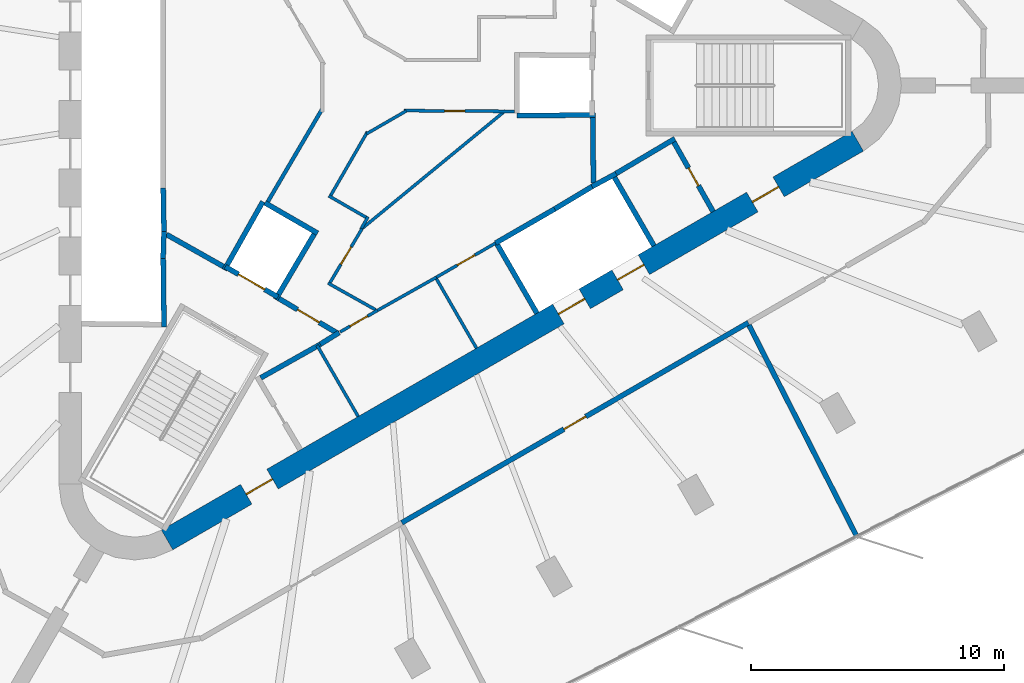
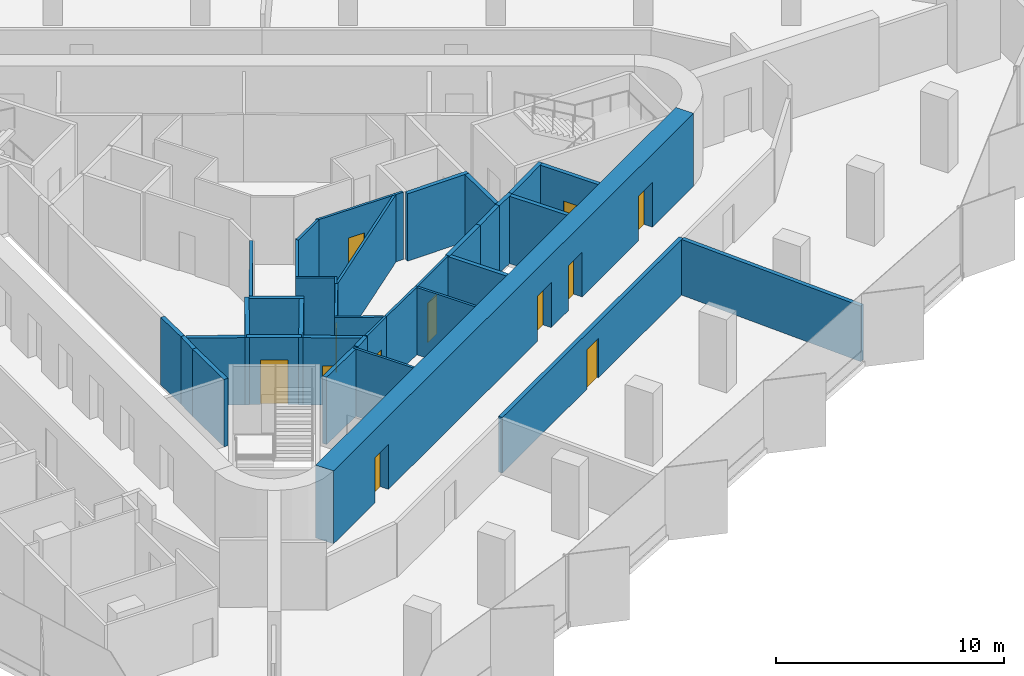
# One storey, part 9 of 13: 37 walls, 12 doors, 12 openings.
"""IFC4 building model written with IfcOpenShell, lengths in metres."""

from ifc_helpers import new_model, si_unit, direction, frame, frame_2d, origin, place, context, subcontext, project, spatial, rectangle, extrude, material, layer, layer_set, type_object, element, fill, save


model = new_model("IFC4")

# Units and contexts
model_context = context("Model", 3, precision=1e-05, world=origin(), true_north=direction((0.0, 1.0)))
body_context = subcontext(model_context, "Body", "Model", "MODEL_VIEW")
ifc_project = project(units=[si_unit("LENGTHUNIT", "METRE"), si_unit("AREAUNIT", "SQUARE_METRE"), si_unit("VOLUMEUNIT", "CUBIC_METRE"), si_unit("PLANEANGLEUNIT", "RADIAN"), si_unit("MASSUNIT", "GRAM", prefix="KILO")], contexts=[model_context])

# Site, building, storey
site_placement = place(None, origin())
site = spatial("IfcSite", under=ifc_project, at=site_placement, CompositionType="ELEMENT")
building_placement = place(site_placement, origin())
building = spatial("IfcBuilding", under=site, at=building_placement, Name="Tanit Gate Tower", CompositionType="ELEMENT")
storey_placement = place(building_placement, frame((0.0, 0.0, 314.300048828125)))
storey = spatial("IfcBuildingStorey", under=building, at=storey_placement, Name="L70", CompositionType="ELEMENT", Elevation=314.300048828125)

# Wall, openings, doors
ifc_material_1 = material(Name="Concrete C40/50", Category="concrete")
ifc_layer_1 = layer(ifc_material_1, 0.89990234375)
ifc_layer_set_1 = layer_set([ifc_layer_1], Name="CORE WALL 900 C40/50")
wall_type_1 = type_object("IfcWallType", Name="CORE WALL 900 C40/50", PredefinedType="SHEAR", material=ifc_layer_set_1)
wall_1_placement = place(storey_placement, frame((-7.824951171875, -17.969970703125, 0.0), z_axis=(0.0, 0.0, 1.0), x_axis=(0.866028369851, 0.499994862586, 0.0)))
wall_1 = element("IfcWall", 1, at=wall_1_placement, inside=storey, type_object=wall_type_1, Name="CORE WALL", PredefinedType="SHEAR", context=body_context, shape_type="SweptSolid", body=[
    extrude(rectangle(XDim=31.523193359375, YDim=0.89990234375, at=frame_2d((15.76171875, 0.0))), origin(), (0.0, 0.0, 1.0), 3.89990234375),
])
opening_1_placement = place(wall_1_placement, frame((17.861572265625, 0.0, 0.0)))
opening_1 = element("IfcOpeningElement", 2, at=opening_1_placement, cuts=wall_1, Name="Opening LDSV1-S19", PredefinedType="OPENING", context=body_context, shape_type="SweptSolid", body=[
    extrude(rectangle(XDim=1.199951171875, YDim=2.39990234375, at=frame_2d((0.60009765625, 1.199951171875))), frame((0.0, 0.4599609375, 0.0), z_axis=(0.0, -1.0, 0.0), x_axis=(1.0, 0.0, 0.0)), (0.0, 0.0, 1.0), 0.919921875),
])
opening_2_placement = place(wall_1_placement, frame((20.561767578125, 0.0, 0.0)))
opening_2 = element("IfcOpeningElement", 3, at=opening_2_placement, cuts=wall_1, Name="Opening LDSV2-S19", PredefinedType="OPENING", context=body_context, shape_type="SweptSolid", body=[
    extrude(rectangle(XDim=1.199951171875, YDim=2.39990234375, at=frame_2d((0.60009765625, 1.199951171875))), frame((0.0, 0.4599609375, 0.0), z_axis=(0.0, -1.0, 0.0), x_axis=(1.0, 0.0, 0.0)), (0.0, 0.0, 1.0), 0.919921875),
])
opening_3_placement = place(wall_1_placement, frame((26.711669921875, 0.0, 0.0)))
opening_3 = element("IfcOpeningElement", 4, at=opening_3_placement, cuts=wall_1, Name="Opening F12-S19-S1", PredefinedType="OPENING", context=body_context, shape_type="SweptSolid", body=[
    extrude(rectangle(XDim=1.199951171875, YDim=2.39990234375, at=frame_2d((0.60009765625, 1.199951171875))), frame((0.0, 0.4599609375, 0.0), z_axis=(0.0, -1.0, 0.0), x_axis=(1.0, 0.0, 0.0)), (0.0, 0.0, 1.0), 0.919921875),
])
opening_4_placement = place(wall_1_placement, frame((3.611572265625, 0.0, 0.0)))
opening_4 = element("IfcOpeningElement", 5, at=opening_4_placement, cuts=wall_1, Name="Opening F12-S19-FL3", PredefinedType="OPENING", context=body_context, shape_type="SweptSolid", body=[
    extrude(rectangle(XDim=1.199951171875, YDim=2.39990234375, at=frame_2d((0.60009765625, 1.199951171875))), frame((0.0, 0.4599609375, 0.0), z_axis=(0.0, -1.0, 0.0), x_axis=(1.0, 0.0, 0.0)), (0.0, 0.0, 1.0), 0.919921875),
])
ifc_material_2 = material(Name="Fire-rated steel door leaf", Category="steel")
door_type_1 = type_object("IfcDoorType", Name="INT-DOOR-FIRE-LOBBY-1200", OperationType="NOTDEFINED", PredefinedType="USERDEFINED", material=ifc_material_2)
door_1_placement = place(opening_3_placement, origin())
door_1 = element("IfcDoor", 6, at=door_1_placement, inside=storey, type_object=door_type_1, Name="Door F12-S19-S1", ObjectType="FIRE DOOR", OperationType="SINGLE_SWING_RIGHT", OverallHeight=2.39990234375, OverallWidth=1.199951171875, PredefinedType="USERDEFINED", context=body_context, shape_type="SweptSolid", body=[
    extrude(rectangle(XDim=1.199951171875, YDim=2.39990234375, at=frame_2d((0.60009765625, 1.199951171875))), frame((0.0, 0.02490234375, 0.0), z_axis=(0.0, -1.0, 0.0), x_axis=(1.0, 0.0, 0.0)), (0.0, 0.0, 1.0), 0.050048828125),
])
fill(opening_3, door_1)
door_2_placement = place(opening_4_placement, origin())
door_2 = element("IfcDoor", 7, at=door_2_placement, inside=storey, type_object=door_type_1, Name="Door F12-S19-FL3", ObjectType="FIRE DOOR", OperationType="SINGLE_SWING_LEFT", OverallHeight=2.39990234375, OverallWidth=1.199951171875, PredefinedType="USERDEFINED", context=body_context, shape_type="SweptSolid", body=[
    extrude(rectangle(XDim=1.199951171875, YDim=2.39990234375, at=frame_2d((0.60009765625, 1.199951171875))), frame((0.0, 0.02490234375, 0.0), z_axis=(0.0, -1.0, 0.0), x_axis=(1.0, 0.0, 0.0)), (0.0, 0.0, 1.0), 0.050048828125),
])
fill(opening_4, door_2)
ifc_material_3 = material(Name="Stainless steel sliding door leaf", Category="steel")
door_type_2 = type_object("IfcDoorType", Name="INT-DOOR-LANDING-1200", OperationType="NOTDEFINED", PredefinedType="USERDEFINED", material=ifc_material_3)
door_3_placement = place(opening_1_placement, origin())
door_3 = element("IfcDoor", 8, at=door_3_placement, inside=storey, type_object=door_type_2, Name="Door LDSV1-S19", ObjectType="LANDING DOOR", OperationType="SLIDING_TO_LEFT", OverallHeight=2.39990234375, OverallWidth=1.199951171875, PredefinedType="USERDEFINED", context=body_context, shape_type="SweptSolid", body=[
    extrude(rectangle(XDim=1.199951171875, YDim=2.39990234375, at=frame_2d((0.60009765625, 1.199951171875))), frame((0.0, 0.02490234375, 0.0), z_axis=(0.0, -1.0, 0.0), x_axis=(1.0, 0.0, 0.0)), (0.0, 0.0, 1.0), 0.050048828125),
])
fill(opening_1, door_3)
door_4_placement = place(opening_2_placement, origin())
door_4 = element("IfcDoor", 9, at=door_4_placement, inside=storey, type_object=door_type_2, Name="Door LDSV2-S19", ObjectType="LANDING DOOR", OperationType="SLIDING_TO_LEFT", OverallHeight=2.39990234375, OverallWidth=1.199951171875, PredefinedType="USERDEFINED", context=body_context, shape_type="SweptSolid", body=[
    extrude(rectangle(XDim=1.199951171875, YDim=2.39990234375, at=frame_2d((0.60009765625, 1.199951171875))), frame((0.0, 0.02490234375, 0.0), z_axis=(0.0, -1.0, 0.0), x_axis=(1.0, 0.0, 0.0)), (0.0, 0.0, 1.0), 0.050048828125),
])
fill(opening_2, door_4)

# Walls
ifc_material_4 = material(Name="Fire-rated gypsum board partition")
ifc_layer_2 = layer(ifc_material_4, 0.199951171875)
ifc_layer_set_2 = layer_set([ifc_layer_2], Name="INT-WALL-COMPARTMENT")
wall_type_2 = type_object("IfcWallType", Name="INT-WALL-COMPARTMENT", PredefinedType="PARTITIONING", material=ifc_layer_set_2)
wall_2_placement = place(storey_placement, frame((-1.7685546875, -10.23681640625, 0.0), z_axis=(0.0, 0.0, 1.0), x_axis=(-0.871534483978, -0.490334215854, 0.0)))
element("IfcWall", 10, at=wall_2_placement, inside=storey, type_object=wall_type_2, Name="Wall Compartment W054", PredefinedType="PARTITIONING", context=body_context, shape_type="SweptSolid", body=[
    extrude(rectangle(XDim=2.7001953125, YDim=0.199951171875, at=frame_2d((1.35009765625, 0.0))), origin(), (0.0, 0.0, 1.0), 3.599853515625),
])
wall_3_placement = place(storey_placement, frame((-1.02392578125, -9.77099609375, 0.0), z_axis=(0.0, 0.0, 1.0), x_axis=(-0.850348075135, -0.526220629693, 0.0)))
element("IfcWall", 11, at=wall_3_placement, inside=storey, type_object=wall_type_2, Name="Wall Compartment W056", PredefinedType="PARTITIONING", context=body_context, shape_type="SweptSolid", body=[
    extrude(rectangle(XDim=0.878173828125, YDim=0.199951171875, at=frame_2d((0.43896484375, 0.0))), origin(), (0.0, 0.0, 1.0), 3.599853515625),
])
wall_4_placement = place(storey_placement, frame((12.244873046875, -2.10888671875, 0.0), z_axis=(0.0, 0.0, 1.0), x_axis=(-0.860414880418, -0.509594185166, 0.0)))
element("IfcWall", 12, at=wall_4_placement, inside=storey, type_object=wall_type_2, Name="Wall Compartment W060", PredefinedType="PARTITIONING", context=body_context, shape_type="SweptSolid", body=[
    extrude(rectangle(XDim=2.7001953125, YDim=0.199951171875, at=frame_2d((1.35009765625, 0.0))), origin(), (0.0, 0.0, 1.0), 3.599853515625),
])

# Wall, opening, door
wall_5_placement = place(storey_placement, frame((13.758056640625, -4.989501953125, 0.0), z_axis=(0.0, 0.0, 1.0), x_axis=(-0.491993409184, 0.87059892334, 0.0)))
wall_5 = element("IfcWall", 13, at=wall_5_placement, inside=storey, type_object=wall_type_2, Name="Wall Compartment W061", PredefinedType="PARTITIONING", context=body_context, shape_type="SweptSolid", body=[
    extrude(rectangle(XDim=3.150146484375, YDim=0.199951171875, at=frame_2d((1.5751953125, 0.0))), origin(), (0.0, 0.0, 1.0), 3.599853515625),
])
opening_5_placement = place(wall_5_placement, frame((1.175048828125, 0.0, 0.0)))
opening_5 = element("IfcOpeningElement", 14, at=opening_5_placement, cuts=wall_5, Name="Opening R08-S19-19", PredefinedType="OPENING", context=body_context, shape_type="SweptSolid", body=[
    extrude(rectangle(XDim=0.800048828125, YDim=2.10009765625, at=frame_2d((0.39990234375, 1.050048828125))), frame((0.0, 0.10986328125, 0.0), z_axis=(0.0, -1.0, 0.0), x_axis=(1.0, 0.0, 0.0)), (0.0, 0.0, 1.0), 0.219970703125),
])
ifc_material_5 = material(Name="Timber door leaf", Category="wood")
door_type_3 = type_object("IfcDoorType", Name="INT-DOOR-RISER-800", OperationType="NOTDEFINED", PredefinedType="USERDEFINED", material=ifc_material_5)
door_5_placement = place(opening_5_placement, origin())
door_5 = element("IfcDoor", 15, at=door_5_placement, inside=storey, type_object=door_type_3, Name="Door R08-S19-19", ObjectType="FIRE DOOR", OperationType="SINGLE_SWING_LEFT", OverallHeight=2.10009765625, OverallWidth=0.800048828125, PredefinedType="USERDEFINED", context=body_context, shape_type="SweptSolid", body=[
    extrude(rectangle(XDim=0.800048828125, YDim=2.10009765625, at=frame_2d((0.39990234375, 1.050048828125))), frame((0.0, 0.02490234375, 0.0), z_axis=(0.0, -1.0, 0.0), x_axis=(1.0, 0.0, 0.0)), (0.0, 0.0, 1.0), 0.050048828125),
])
fill(opening_5, door_5)

# Walls
for number, where, z_axis, x_axis, name in (
    (16, (9.02880859375, -3.8505859375, 0.0), (0.0, 0.0, 1.0), (-0.010784614026, 0.999941844359, 0.0), "Wall Compartment W062"),
    (17, (-7.84912109375, -5.893798828125, 0.0), (0.0, 0.0, 1.0), (0.871340486379, -0.490678873396, 0.0), "Wall Compartment W066"),
):
    element("IfcWall", number, at=place(storey_placement, frame(where, z_axis=z_axis, x_axis=x_axis)), inside=storey, type_object=wall_type_2, Name=name, PredefinedType="PARTITIONING", context=body_context, shape_type="SweptSolid", body=[
        extrude(rectangle(XDim=2.580810546875, YDim=0.199951171875, at=frame_2d((1.29052734375, 0.0))), origin(), (0.0, 0.0, 1.0), 3.599853515625),
    ])

# Wall, opening, door
wall_6_placement = place(storey_placement, frame((-3.400634765625, -8.43017578125, 0.0), z_axis=(0.0, 0.0, 1.0), x_axis=(0.860617791406, -0.509251428192, 0.0)))
wall_6 = element("IfcWall", 18, at=wall_6_placement, inside=storey, type_object=wall_type_2, Name="Wall Compartment W067", PredefinedType="PARTITIONING", context=body_context, shape_type="SweptSolid", body=[
    extrude(rectangle(XDim=2.709228515625, YDim=0.199951171875, at=frame_2d((1.3544921875, 0.0))), origin(), (0.0, 0.0, 1.0), 3.599853515625),
])
opening_6_placement = place(wall_6_placement, frame((0.848388671875, 0.0, 0.0)))
opening_6 = element("IfcOpeningElement", 19, at=opening_6_placement, cuts=wall_6, Name="Opening F10-S19-08", PredefinedType="OPENING", context=body_context, shape_type="SweptSolid", body=[
    extrude(rectangle(XDim=1.0, YDim=2.10009765625, at=frame_2d((0.5, 1.050048828125))), frame((0.0, 0.10986328125, 0.0), z_axis=(0.0, -1.0, 0.0), x_axis=(1.0, 0.0, 0.0)), (0.0, 0.0, 1.0), 0.219970703125),
])
ifc_material_6 = material(Name="Fire-rated steel door leaf", Category="steel")
door_type_4 = type_object("IfcDoorType", Name="INT-DOOR-FIRE-1000", OperationType="NOTDEFINED", PredefinedType="USERDEFINED", material=ifc_material_6)
door_6_placement = place(opening_6_placement, origin())
door_6 = element("IfcDoor", 20, at=door_6_placement, inside=storey, type_object=door_type_4, Name="Door F10-S19-08", ObjectType="FIRE DOOR", OperationType="SINGLE_SWING_LEFT", OverallHeight=2.10009765625, OverallWidth=1.0, PredefinedType="USERDEFINED", context=body_context, shape_type="SweptSolid", body=[
    extrude(rectangle(XDim=1.0, YDim=2.10009765625, at=frame_2d((0.5, 1.050048828125))), frame((0.0, 0.02490234375, 0.0), z_axis=(0.0, -1.0, 0.0), x_axis=(1.0, 0.0, 0.0)), (0.0, 0.0, 1.0), 0.050048828125),
])
fill(opening_6, door_6)

wall_7_placement = place(storey_placement, frame((1.451416015625, -17.290771484375, 0.0), z_axis=(0.0, 0.0, 1.0), x_axis=(0.866027540469, 0.499996299136, 0.0)))
wall_7 = element("IfcWall", 21, at=wall_7_placement, inside=storey, type_object=wall_type_2, Name="Wall Compartment W113", PredefinedType="PARTITIONING", context=body_context, shape_type="SweptSolid", body=[
    extrude(rectangle(XDim=15.8203125, YDim=0.199951171875, at=frame_2d((7.91015625, 0.0))), origin(), (0.0, 0.0, 1.0), 2.969970703125),
])
opening_7_placement = place(wall_7_placement, frame((7.398681640625, 0.0, 0.0)))
opening_7 = element("IfcOpeningElement", 22, at=opening_7_placement, cuts=wall_7, Name="Opening F10-S19-31", PredefinedType="OPENING", context=body_context, shape_type="SweptSolid", body=[
    extrude(rectangle(XDim=1.0, YDim=2.10009765625, at=frame_2d((0.5, 1.050048828125))), frame((0.0, 0.10986328125, 0.0), z_axis=(0.0, -1.0, 0.0), x_axis=(1.0, 0.0, 0.0)), (0.0, 0.0, 1.0), 0.219970703125),
])
door_7_placement = place(opening_7_placement, origin())
door_7 = element("IfcDoor", 23, at=door_7_placement, inside=storey, type_object=door_type_4, Name="Door F10-S19-31", ObjectType="FIRE DOOR", OperationType="SINGLE_SWING_LEFT", OverallHeight=2.10009765625, OverallWidth=1.0, PredefinedType="USERDEFINED", context=body_context, shape_type="SweptSolid", body=[
    extrude(rectangle(XDim=1.0, YDim=2.10009765625, at=frame_2d((0.5, 1.050048828125))), frame((0.0, 0.02490234375, 0.0), z_axis=(0.0, -1.0, 0.0), x_axis=(1.0, 0.0, 0.0)), (0.0, 0.0, 1.0), 0.050048828125),
])
fill(opening_7, door_7)

# Walls
wall_8_placement = place(storey_placement, frame((15.177978515625, -9.481201171875, 0.0), z_axis=(0.0, 0.0, 1.0), x_axis=(0.454314491878, -0.890841367736, 0.0)))
element("IfcWall", 24, at=wall_8_placement, inside=storey, type_object=wall_type_2, Name="Wall Compartment W135", PredefinedType="PARTITIONING", context=body_context, shape_type="SweptSolid", body=[
    extrude(rectangle(XDim=9.360595703125, YDim=0.199951171875, at=frame_2d((4.68017578125, 0.0))), origin(), (0.0, 0.0, 1.0), 2.969970703125),
])
ifc_material_7 = material(Name="Gypsum board partition")
ifc_layer_3 = layer(ifc_material_7, 0.1201171875)
ifc_layer_set_3 = layer_set([ifc_layer_3], Name="INT-WALL-PARTITION")
wall_type_3 = type_object("IfcWallType", Name="INT-WALL-PARTITION", PredefinedType="PARTITIONING", material=ifc_layer_set_3)
for number, where, z_axis, x_axis, name in (
    (25, (-1.896728515625, -10.27490234375, 0.0), (0.0, 0.0, 1.0), (0.499984717929, -0.866034226713, 0.0), "Wall Partition W052"),
    (26, (4.40478515625, -10.389404296875, 0.0), (0.0, 0.0, 1.0), (-0.500017246033, 0.866015446554, 0.0), "Wall Partition W055"),
):
    element("IfcWall", number, at=place(storey_placement, frame(where, z_axis=z_axis, x_axis=x_axis)), inside=storey, type_object=wall_type_3, Name=name, PredefinedType="PARTITIONING", context=body_context, shape_type="SweptSolid", body=[
        extrude(rectangle(XDim=3.25, YDim=0.1201171875, at=frame_2d((1.625, 0.0))), origin(), (0.0, 0.0, 1.0), 3.599853515625),
    ])
wall_9_placement = place(storey_placement, frame((0.493896484375, -8.895751953125, 0.0), z_axis=(0.0, 0.0, 1.0), x_axis=(0.871426548871, 0.490526013503, 0.0)))
element("IfcWall", 27, at=wall_9_placement, inside=storey, type_object=wall_type_3, Name="Wall Partition W057", PredefinedType="PARTITIONING", context=body_context, shape_type="SweptSolid", body=[
    extrude(rectangle(XDim=2.670166015625, YDim=0.1201171875, at=frame_2d((1.3349609375, 0.0))), origin(), (0.0, 0.0, 1.0), 3.599853515625),
])

# Wall, opening, door
wall_10_placement = place(storey_placement, frame((0.493408203125, -8.89501953125, 0.0), z_axis=(0.0, 0.0, 1.0), x_axis=(-0.866027945518, -0.499995597562, 0.0)))
wall_10 = element("IfcWall", 28, at=wall_10_placement, inside=storey, type_object=wall_type_3, Name="Wall Partition W058", PredefinedType="PARTITIONING", context=body_context, shape_type="SweptSolid", body=[
    extrude(rectangle(XDim=1.7021484375, YDim=0.1201171875, at=frame_2d((0.85107421875, 0.0))), origin(), (0.0, 0.0, 1.0), 3.599853515625),
])
opening_8_placement = place(wall_10_placement, frame((0.461181640625, 0.0, 0.0)))
opening_8 = element("IfcOpeningElement", 29, at=opening_8_placement, cuts=wall_10, Name="Opening R08-S19-17", PredefinedType="OPENING", context=body_context, shape_type="SweptSolid", body=[
    extrude(rectangle(XDim=0.800048828125, YDim=2.10009765625, at=frame_2d((0.39990234375, 1.050048828125))), frame((0.0, 0.070068359375, 0.0), z_axis=(0.0, -1.0, 0.0), x_axis=(1.0, 0.0, 0.0)), (0.0, 0.0, 1.0), 0.14013671875),
])
door_8_placement = place(opening_8_placement, origin())
door_8 = element("IfcDoor", 30, at=door_8_placement, inside=storey, type_object=door_type_3, Name="Door R08-S19-17", ObjectType="FIRE DOOR", OperationType="SINGLE_SWING_RIGHT", OverallHeight=2.10009765625, OverallWidth=0.800048828125, PredefinedType="USERDEFINED", context=body_context, shape_type="SweptSolid", body=[
    extrude(rectangle(XDim=0.800048828125, YDim=2.10009765625, at=frame_2d((0.39990234375, 1.050048828125))), frame((0.0, 0.02490234375, 0.0), z_axis=(0.0, -1.0, 0.0), x_axis=(1.0, 0.0, 0.0)), (0.0, 0.0, 1.0), 0.050048828125),
])
fill(opening_8, door_8)

wall_11_placement = place(storey_placement, frame((2.82080078125, -7.5859375, 0.0), z_axis=(0.0, 0.0, 1.0), x_axis=(0.866019956843, 0.50000943426, 0.0)))
wall_11 = element("IfcWall", 31, at=wall_11_placement, inside=storey, type_object=wall_type_3, Name="Wall Partition W059", PredefinedType="PARTITIONING", context=body_context, shape_type="SweptSolid", body=[
    extrude(rectangle(XDim=2.7001953125, YDim=0.1201171875, at=frame_2d((1.35009765625, 0.0))), origin(), (0.0, 0.0, 1.0), 3.599853515625),
])
opening_9_placement = place(wall_11_placement, frame((0.949951171875, 0.0, 0.0)))
opening_9 = element("IfcOpeningElement", 32, at=opening_9_placement, cuts=wall_11, Name="Opening R08-S19-18", PredefinedType="OPENING", context=body_context, shape_type="SweptSolid", body=[
    extrude(rectangle(XDim=0.800048828125, YDim=2.10009765625, at=frame_2d((0.39990234375, 1.050048828125))), frame((0.0, 0.070068359375, 0.0), z_axis=(0.0, -1.0, 0.0), x_axis=(1.0, 0.0, 0.0)), (0.0, 0.0, 1.0), 0.14013671875),
])
door_9_placement = place(opening_9_placement, origin())
door_9 = element("IfcDoor", 33, at=door_9_placement, inside=storey, type_object=door_type_3, Name="Door R08-S19-18", ObjectType="FIRE DOOR", OperationType="SINGLE_SWING_RIGHT", OverallHeight=2.10009765625, OverallWidth=0.800048828125, PredefinedType="USERDEFINED", context=body_context, shape_type="SweptSolid", body=[
    extrude(rectangle(XDim=0.800048828125, YDim=2.10009765625, at=frame_2d((0.39990234375, 1.050048828125))), frame((0.0, 0.02490234375, 0.0), z_axis=(0.0, -1.0, 0.0), x_axis=(1.0, 0.0, 0.0)), (0.0, 0.0, 1.0), 0.050048828125),
])
fill(opening_9, door_9)

# Walls
wall_12_placement = place(storey_placement, frame((5.5478515625, -1.0, 0.0), z_axis=(0.0, 0.0, 1.0), x_axis=(-0.772345431507, -0.635202750648, 0.0)))
element("IfcWall", 34, at=wall_12_placement, inside=storey, type_object=wall_type_3, Name="Wall Partition W071", PredefinedType="PARTITIONING", context=body_context, shape_type="SweptSolid", body=[
    extrude(rectangle(XDim=7.41455078125, YDim=0.1201171875, at=frame_2d((3.707275390625, 0.0))), origin(), (0.0, 0.0, 1.0), 3.599853515625),
])
wall_13_placement = place(storey_placement, frame((-1.464111328125, -7.81591796875, 0.0), z_axis=(0.0, 0.0, 1.0), x_axis=(0.871859859416, -0.489755434416, 0.0)))
element("IfcWall", 35, at=wall_13_placement, inside=storey, type_object=wall_type_3, Name="Wall Partition W072", PredefinedType="PARTITIONING", context=body_context, shape_type="SweptSolid", body=[
    extrude(rectangle(XDim=2.154541015625, YDim=0.1201171875, at=frame_2d((1.0771484375, 0.0))), origin(), (0.0, 0.0, 1.0), 3.599853515625),
])

# Wall, opening, door
wall_14_placement = place(storey_placement, frame((-0.118896484375, -5.664306640625, 0.0), z_axis=(0.0, 0.0, 1.0), x_axis=(-0.509948384343, -0.860205001907, 0.0)))
wall_14 = element("IfcWall", 36, at=wall_14_placement, inside=storey, type_object=wall_type_3, Name="Wall Partition W073", PredefinedType="PARTITIONING", context=body_context, shape_type="SweptSolid", body=[
    extrude(rectangle(XDim=2.47509765625, YDim=0.1201171875, at=frame_2d((1.237548828125, 0.0))), origin(), (0.0, 0.0, 1.0), 3.599853515625),
])
opening_10_placement = place(wall_14_placement, frame((0.837646484375, 0.0, 0.0)))
opening_10 = element("IfcOpeningElement", 37, at=opening_10_placement, cuts=wall_14, Name="Opening R08-S19-11", PredefinedType="OPENING", context=body_context, shape_type="SweptSolid", body=[
    extrude(rectangle(XDim=0.800048828125, YDim=2.10009765625, at=frame_2d((0.39990234375, 1.050048828125))), frame((0.0, 0.070068359375, 0.0), z_axis=(0.0, -1.0, 0.0), x_axis=(1.0, 0.0, 0.0)), (0.0, 0.0, 1.0), 0.14013671875),
])
door_10_placement = place(opening_10_placement, origin())
door_10 = element("IfcDoor", 38, at=door_10_placement, inside=storey, type_object=door_type_3, Name="Door R08-S19-11", ObjectType="FIRE DOOR", OperationType="SINGLE_SWING_LEFT", OverallHeight=2.10009765625, OverallWidth=0.800048828125, PredefinedType="USERDEFINED", context=body_context, shape_type="SweptSolid", body=[
    extrude(rectangle(XDim=0.800048828125, YDim=2.10009765625, at=frame_2d((0.39990234375, 1.050048828125))), frame((0.0, 0.02490234375, 0.0), z_axis=(0.0, -1.0, 0.0), x_axis=(1.0, 0.0, 0.0)), (0.0, 0.0, 1.0), 0.050048828125),
])
fill(opening_10, door_10)

wall_15_placement = place(storey_placement, frame((5.89990234375, -1.02880859375, 0.0), z_axis=(0.0, 0.0, 1.0), x_axis=(-0.999977012451, 0.006780454946, 0.0)))
wall_15 = element("IfcWall", 39, at=wall_15_placement, inside=storey, type_object=wall_type_3, Name="Wall Partition W074", PredefinedType="PARTITIONING", context=body_context, shape_type="SweptSolid", body=[
    extrude(rectangle(XDim=4.356689453125, YDim=0.1201171875, at=frame_2d((2.17822265625, 0.0))), origin(), (0.0, 0.0, 1.0), 3.599853515625),
])
opening_11_placement = place(wall_15_placement, frame((1.9541015625, 0.0, 0.0)))
opening_11 = element("IfcOpeningElement", 40, at=opening_11_placement, cuts=wall_15, Name="Opening R08-S19-12", PredefinedType="OPENING", context=body_context, shape_type="SweptSolid", body=[
    extrude(rectangle(XDim=0.800048828125, YDim=2.10009765625, at=frame_2d((0.39990234375, 1.050048828125))), frame((0.0, 0.070068359375, 0.0), z_axis=(0.0, -1.0, 0.0), x_axis=(1.0, 0.0, 0.0)), (0.0, 0.0, 1.0), 0.14013671875),
])
door_11_placement = place(opening_11_placement, origin())
door_11 = element("IfcDoor", 41, at=door_11_placement, inside=storey, type_object=door_type_3, Name="Door R08-S19-12", ObjectType="FIRE DOOR", OperationType="SINGLE_SWING_LEFT", OverallHeight=2.10009765625, OverallWidth=0.800048828125, PredefinedType="USERDEFINED", context=body_context, shape_type="SweptSolid", body=[
    extrude(rectangle(XDim=0.800048828125, YDim=2.10009765625, at=frame_2d((0.39990234375, 1.050048828125))), frame((0.0, 0.02490234375, 0.0), z_axis=(0.0, -1.0, 0.0), x_axis=(1.0, 0.0, 0.0)), (0.0, 0.0, 1.0), 0.050048828125),
])
fill(opening_11, door_11)

# Walls
wall_16_placement = place(storey_placement, frame((-0.14404296875, -5.6494140625, 0.0), z_axis=(0.0, 0.0, 1.0), x_axis=(0.499843319224, 0.866115844577, 0.0)))
element("IfcWall", 42, at=wall_16_placement, inside=storey, type_object=wall_type_3, Name="Wall Partition W075", PredefinedType="PARTITIONING", context=body_context, shape_type="SweptSolid", body=[
    extrude(rectangle(XDim=0.524658203125, YDim=0.1201171875, at=frame_2d((0.26220703125, 0.0))), origin(), (0.0, 0.0, 1.0), 3.599853515625),
])
wall_17_placement = place(storey_placement, frame((-1.43603515625, -4.3671875, 0.0), z_axis=(0.0, 0.0, 1.0), x_axis=(0.866087547558, -0.499892348375, 0.0)))
element("IfcWall", 43, at=wall_17_placement, inside=storey, type_object=wall_type_3, Name="Wall Partition W076", PredefinedType="PARTITIONING", context=body_context, shape_type="SweptSolid", body=[
    extrude(rectangle(XDim=1.699951171875, YDim=0.1201171875, at=frame_2d((0.85009765625, 0.0))), origin(), (0.0, 0.0, 1.0), 3.599853515625),
])
wall_18_placement = place(storey_placement, frame((0.09521484375, -1.8349609375, 0.0), z_axis=(0.0, 0.0, 1.0), x_axis=(-0.499980071345, -0.866036909293, 0.0)))
element("IfcWall", 44, at=wall_18_placement, inside=storey, type_object=wall_type_3, Name="Wall Partition W077", PredefinedType="PARTITIONING", context=body_context, shape_type="SweptSolid", body=[
    extrude(rectangle(XDim=2.8984375, YDim=0.1201171875, at=frame_2d((1.44921875, 0.0))), origin(), (0.0, 0.0, 1.0), 3.599853515625),
])
wall_19_placement = place(storey_placement, frame((1.629150390625, -1.009521484375, 0.0), z_axis=(0.0, 0.0, 1.0), x_axis=(-0.866046528967, -0.499963408325, 0.0)))
element("IfcWall", 45, at=wall_19_placement, inside=storey, type_object=wall_type_3, Name="Wall Partition W078", PredefinedType="PARTITIONING", context=body_context, shape_type="SweptSolid", body=[
    extrude(rectangle(XDim=1.812744140625, YDim=0.1201171875, at=frame_2d((0.90625, 0.0))), origin(), (0.0, 0.0, 1.0), 3.599853515625),
])
ifc_material_8 = material(Name="Fire-rated gypsum board partition")
ifc_layer_4 = layer(ifc_material_8, 0.14990234375)
ifc_layer_set_4 = layer_set([ifc_layer_4], Name="INT-WALL-RISER")
wall_type_4 = type_object("IfcWallType", Name="INT-WALL-RISER", PredefinedType="PLUMBINGWALL", material=ifc_layer_set_4)
wall_20_placement = place(storey_placement, frame((-3.841064453125, -4.59521484375, 0.0), z_axis=(0.0, 0.0, 1.0), x_axis=(0.505857207696, 0.862617229959, 0.0)))
element("IfcWall", 46, at=wall_20_placement, inside=storey, type_object=wall_type_4, Name="Wall Riser W070", PredefinedType="PLUMBINGWALL", context=body_context, shape_type="SweptSolid", body=[
    extrude(rectangle(XDim=4.231201171875, YDim=0.14990234375, at=frame_2d((2.11572265625, 0.0))), origin(), (0.0, 0.0, 1.0), 3.599853515625),
])
ifc_material_9 = material(Name="Gypsum shaft wall system")
ifc_layer_5 = layer(ifc_material_9, 0.199951171875)
ifc_layer_set_5 = layer_set([ifc_layer_5], Name="INT-WALL-SHAFT")
wall_type_5 = type_object("IfcWallType", Name="INT-WALL-SHAFT", PredefinedType="PLUMBINGWALL", material=ifc_layer_set_5)
wall_21_placement = place(storey_placement, frame((-7.949951171875, -5.7724609375, 0.0), z_axis=(0.0, 0.0, 1.0), x_axis=(-0.030803413295, -0.999525462272, 0.0)))
element("IfcWall", 47, at=wall_21_placement, inside=storey, type_object=wall_type_5, Name="Wall Shaft W008", PredefinedType="PLUMBINGWALL", context=body_context, shape_type="SweptSolid", body=[
    extrude(rectangle(XDim=1.077880859375, YDim=0.199951171875, at=frame_2d((0.5390625, 0.0))), origin(), (0.0, 0.0, 1.0), 3.599853515625),
])
wall_22_placement = place(storey_placement, frame((-7.97998046875, -4.050048828125, 0.0), z_axis=(0.0, 0.0, 1.0), x_axis=(0.016809909365, -0.999858703491, 0.0)))
element("IfcWall", 48, at=wall_22_placement, inside=storey, type_object=wall_type_5, Name="Wall Shaft W009", PredefinedType="PLUMBINGWALL", context=body_context, shape_type="SweptSolid", body=[
    extrude(rectangle(XDim=1.844482421875, YDim=0.199951171875, at=frame_2d((0.92236328125, 0.0))), origin(), (0.0, 0.0, 1.0), 3.599853515625),
])
wall_23_placement = place(storey_placement, frame((-7.97900390625, -6.85009765625, 0.0), z_axis=(0.0, 0.0, 1.0), x_axis=(0.011121475088, -0.999938154483, 0.0)))
element("IfcWall", 49, at=wall_23_placement, inside=storey, type_object=wall_type_5, Name="Wall Shaft W010", PredefinedType="PLUMBINGWALL", context=body_context, shape_type="SweptSolid", body=[
    extrude(rectangle(XDim=2.7001953125, YDim=0.199951171875, at=frame_2d((1.35009765625, 0.0))), origin(), (0.0, 0.0, 1.0), 3.599853515625),
])
wall_24_placement = place(storey_placement, frame((6.795166015625, -9.009521484375, 0.0), z_axis=(0.0, 0.0, 1.0), x_axis=(-0.499984717929, 0.866034226713, 0.0)))
element("IfcWall", 50, at=wall_24_placement, inside=storey, type_object=wall_type_5, Name="Wall Shaft W015", PredefinedType="PLUMBINGWALL", context=body_context, shape_type="SweptSolid", body=[
    extrude(rectangle(XDim=3.25, YDim=0.199951171875, at=frame_2d((1.625, 0.0))), origin(), (0.0, 0.0, 1.0), 3.599853515625),
])
wall_25_placement = place(storey_placement, frame((5.1591796875, -6.23583984375, 0.0), z_axis=(0.0, 0.0, 1.0), x_axis=(0.866036505625, 0.499980770555, 0.0)))
element("IfcWall", 51, at=wall_25_placement, inside=storey, type_object=wall_type_5, Name="Wall Shaft W016", PredefinedType="PLUMBINGWALL", context=body_context, shape_type="SweptSolid", body=[
    extrude(rectangle(XDim=2.69970703125, YDim=0.199951171875, at=frame_2d((1.349853515625, 0.0))), origin(), (0.0, 0.0, 1.0), 3.599853515625),
])
wall_26_placement = place(storey_placement, frame((9.794677734375, -3.52490234375, 0.0), z_axis=(0.0, 0.0, 1.0), x_axis=(0.499984717929, -0.866034226713, 0.0)))
element("IfcWall", 52, at=wall_26_placement, inside=storey, type_object=wall_type_5, Name="Wall Shaft W017", PredefinedType="PLUMBINGWALL", context=body_context, shape_type="SweptSolid", body=[
    extrude(rectangle(XDim=3.25, YDim=0.199951171875, at=frame_2d((1.625, 0.0))), origin(), (0.0, 0.0, 1.0), 3.599853515625),
])
wall_27_placement = place(storey_placement, frame((8.97412109375, -3.998779296875, 0.0), z_axis=(0.0, 0.0, 1.0), x_axis=(0.880907015104, 0.473289373154, 0.0)))
element("IfcWall", 53, at=wall_27_placement, inside=storey, type_object=wall_type_5, Name="Wall Shaft W018", PredefinedType="PLUMBINGWALL", context=body_context, shape_type="SweptSolid", body=[
    extrude(rectangle(XDim=1.078125, YDim=0.199951171875, at=frame_2d((0.5390625, 0.0))), origin(), (0.0, 0.0, 1.0), 3.599853515625),
])
wall_28_placement = place(storey_placement, frame((7.497314453125, -4.885986328125, 0.0), z_axis=(0.0, 0.0, 1.0), x_axis=(0.857516281273, 0.51445682749, 0.0)))
element("IfcWall", 54, at=wall_28_placement, inside=storey, type_object=wall_type_5, Name="Wall Shaft W019", PredefinedType="PLUMBINGWALL", context=body_context, shape_type="SweptSolid", body=[
    extrude(rectangle(XDim=1.8447265625, YDim=0.199951171875, at=frame_2d((0.92236328125, 0.0))), origin(), (0.0, 0.0, 1.0), 3.599853515625),
])
wall_29_placement = place(storey_placement, frame((9.10009765625, -1.1689453125, 0.0), z_axis=(0.0, 0.0, 1.0), x_axis=(-0.999949988, -0.010001074852, 0.0)))
element("IfcWall", 55, at=wall_29_placement, inside=storey, type_object=wall_type_5, Name="Wall Shaft W025", PredefinedType="PLUMBINGWALL", context=body_context, shape_type="SweptSolid", body=[
    extrude(rectangle(XDim=3.100341796875, YDim=0.199951171875, at=frame_2d((1.55029296875, 0.0))), origin(), (0.0, 0.0, 1.0), 3.599853515625),
])

# Wall, opening, door
wall_30_placement = place(storey_placement, frame((-3.44580078125, -8.3681640625, 0.0), z_axis=(0.0, 0.0, 1.0), x_axis=(-0.866024647952, 0.500001309137, 0.0)))
wall_30 = element("IfcWall", 56, at=wall_30_placement, inside=storey, type_object=wall_type_5, Name="Wall Shaft W040", PredefinedType="PLUMBINGWALL", context=body_context, shape_type="SweptSolid", body=[
    extrude(rectangle(XDim=2.39990234375, YDim=0.199951171875, at=frame_2d((1.199951171875, 0.0))), origin(), (0.0, 0.0, 1.0), 3.599853515625),
])
opening_12_placement = place(wall_30_placement, frame((0.60009765625, 0.0, 0.0)))
opening_12 = element("IfcOpeningElement", 57, at=opening_12_placement, cuts=wall_30, Name="Opening LDFL3-L70", PredefinedType="OPENING", context=body_context, shape_type="SweptSolid", body=[
    extrude(rectangle(XDim=1.199951171875, YDim=2.39990234375, at=frame_2d((0.60009765625, 1.199951171875))), frame((0.0, 0.10986328125, 0.0), z_axis=(0.0, -1.0, 0.0), x_axis=(1.0, 0.0, 0.0)), (0.0, 0.0, 1.0), 0.219970703125),
])
door_12_placement = place(opening_12_placement, origin())
door_12 = element("IfcDoor", 58, at=door_12_placement, inside=storey, type_object=door_type_2, Name="Door LDFL3-L70", ObjectType="LANDING DOOR", OperationType="SLIDING_TO_LEFT", OverallHeight=2.39990234375, OverallWidth=1.199951171875, PredefinedType="USERDEFINED", context=body_context, shape_type="SweptSolid", body=[
    extrude(rectangle(XDim=1.199951171875, YDim=2.39990234375, at=frame_2d((0.60009765625, 1.199951171875))), frame((0.0, 0.02490234375, 0.0), z_axis=(0.0, -1.0, 0.0), x_axis=(1.0, 0.0, 0.0)), (0.0, 0.0, 1.0), 0.050048828125),
])
fill(opening_12, door_12)

# Walls
wall_31_placement = place(storey_placement, frame((-5.5625, -7.29638671875, 0.0), z_axis=(0.0, 0.0, 1.0), x_axis=(0.491322718731, 0.870977603649, 0.0)))
element("IfcWall", 59, at=wall_31_placement, inside=storey, type_object=wall_type_5, Name="Wall Shaft W041", PredefinedType="PLUMBINGWALL", context=body_context, shape_type="SweptSolid", body=[
    extrude(rectangle(XDim=3.10009765625, YDim=0.199951171875, at=frame_2d((1.550048828125, 0.0))), origin(), (0.0, 0.0, 1.0), 3.599853515625),
])
wall_32_placement = place(storey_placement, frame((-3.95654296875, -4.643798828125, 0.0), z_axis=(0.0, 0.0, 1.0), x_axis=(0.865991127953, -0.500059362782, 0.0)))
element("IfcWall", 60, at=wall_32_placement, inside=storey, type_object=wall_type_5, Name="Wall Shaft W042", PredefinedType="PLUMBINGWALL", context=body_context, shape_type="SweptSolid", body=[
    extrude(rectangle(XDim=2.404541015625, YDim=0.199951171875, at=frame_2d((1.2021484375, 0.0))), origin(), (0.0, 0.0, 1.0), 3.599853515625),
])
wall_33_placement = place(storey_placement, frame((-2.01171875, -5.88232421875, 0.0), z_axis=(0.0, 0.0, 1.0), x_axis=(-0.508619639323, -0.860991325447, 0.0)))
element("IfcWall", 61, at=wall_33_placement, inside=storey, type_object=wall_type_5, Name="Wall Shaft W043", PredefinedType="PLUMBINGWALL", context=body_context, shape_type="SweptSolid", body=[
    extrude(rectangle(XDim=3.0, YDim=0.199951171875, at=frame_2d((1.5, 0.0))), origin(), (0.0, 0.0, 1.0), 3.599853515625),
])

save(model, "model.ifc")
